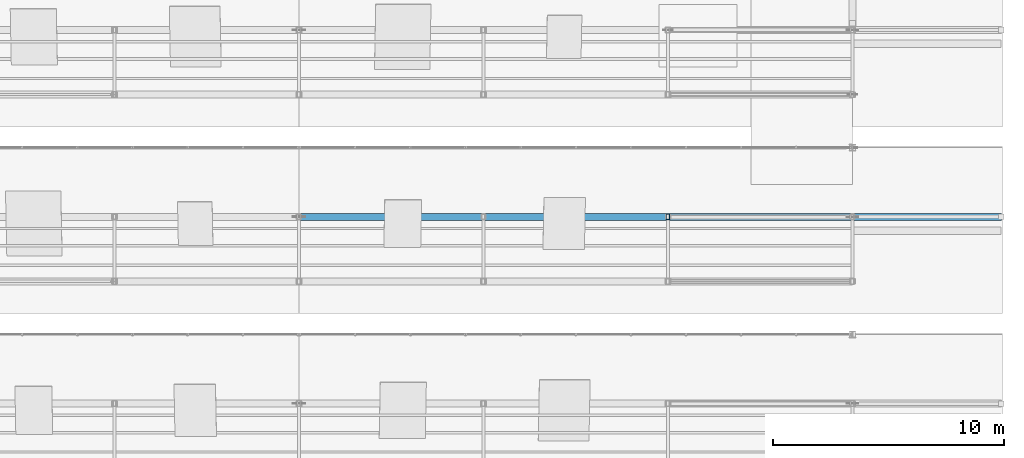
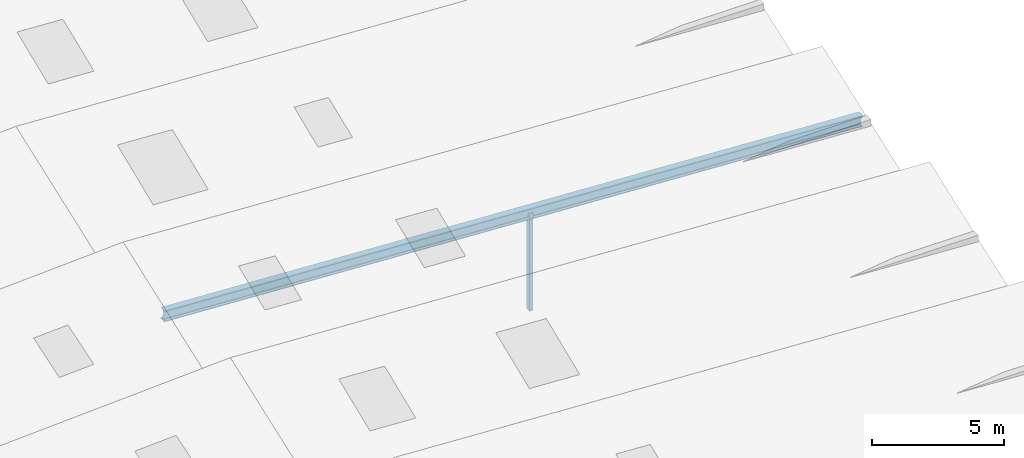
# One storey, part 110 of 141: 2 members.
"""IFC4 building model written with IfcOpenShell, lengths in metres."""

from ifc_helpers import new_model, si_unit, direction, frame, origin, origin_2d, place, context, subcontext, project, spatial, hollow_rectangle, i_section, extrude, material, material_profile, profile_set, type_object, element, save


model = new_model("IFC4")

# Units and contexts
model_context = context("Model", 3, precision=1e-05, world=origin(), true_north=direction((0.0, 1.0)))
body_context = subcontext(model_context, "Body", "Model", "MODEL_VIEW")
ifc_project = project(units=[si_unit("LENGTHUNIT", "METRE"), si_unit("AREAUNIT", "SQUARE_METRE"), si_unit("VOLUMEUNIT", "CUBIC_METRE"), si_unit("PLANEANGLEUNIT", "RADIAN"), si_unit("MASSUNIT", "GRAM", prefix="KILO")], contexts=[model_context])

# Site, building, storey
site_placement = place(None, origin())
site = spatial("IfcSite", under=ifc_project, at=site_placement, CompositionType="ELEMENT")
building_placement = place(site_placement, origin())
building = spatial("IfcBuilding", under=site, at=building_placement, Name="Sundkrona Museum", CompositionType="ELEMENT")
storey_placement = place(building_placement, frame((0.0, 0.0, 34.0)))
storey = spatial("IfcBuildingStorey", under=building, at=storey_placement, Name="RF", CompositionType="ELEMENT", Elevation=34.0)

# Members
ifc_material = material(Name="Steel S355J2", Category="steel")
ifc_material_profile_1 = material_profile(ifc_material, hollow_rectangle(XDim=0.14990234375, YDim=0.25, WallThickness=0.010009765625, at=origin_2d()), Name="RHS 250x150x10.0")
ifc_profile_set_1 = profile_set([ifc_material_profile_1], Name="Steel S355J2")
member_type_1 = type_object("IfcMemberType", Name="ST-RHS250", PredefinedType="STRUT", material=ifc_profile_set_1)
member_1_placement = place(storey_placement, frame((160.0, 31.60009765625, -0.25), z_axis=(0.0, 0.0, 1.0), x_axis=(1.0, 0.0, 0.0)))
element("IfcMember", 1, at=member_1_placement, inside=storey, type_object=member_type_1, Name="RFS-1 Sawtooth Truss 5 Vertical Post 6", PredefinedType="STRUT", context=body_context, shape_type="SweptSolid", body=[
    extrude(hollow_rectangle(XDim=0.14990234375, YDim=0.25, WallThickness=0.010009765625, at=origin_2d()), origin(), (0.0, 0.0, 1.0), 4.490234375),
])
ifc_material_profile_2 = material_profile(ifc_material, i_section(OverallWidth=0.300048828125, OverallDepth=0.5, WebThickness=0.014404296875, FlangeThickness=0.028076171875, FilletRadius=0.027099609375, at=origin_2d()), Name="HEB 500")
ifc_profile_set_2 = profile_set([ifc_material_profile_2], Name="Steel S355J2")
member_type_2 = type_object("IfcMemberType", Name="TC-HEB500", PredefinedType="CHORD", material=ifc_profile_set_2)
member_2_placement = place(storey_placement, frame((144.0, 31.60009765625, 5.105712890625), z_axis=(0.998540021616, 0.0, -0.054016897652), x_axis=(0.0, 1.0, 0.0)))
element("IfcMember", 2, at=member_2_placement, inside=storey, type_object=member_type_2, Name="RFS-1 Sawtooth Truss 5 East Sloped Top Chord", PredefinedType="CHORD", context=body_context, shape_type="SweptSolid", body=[
    extrude(i_section(OverallWidth=0.300048828125, OverallDepth=0.5, WebThickness=0.014404296875, FlangeThickness=0.028076171875, FilletRadius=0.027099609375, at=origin_2d()), origin(), (0.0, 0.0, 1.0), 30.494384765625),
])

save(model, "model.ifc")
